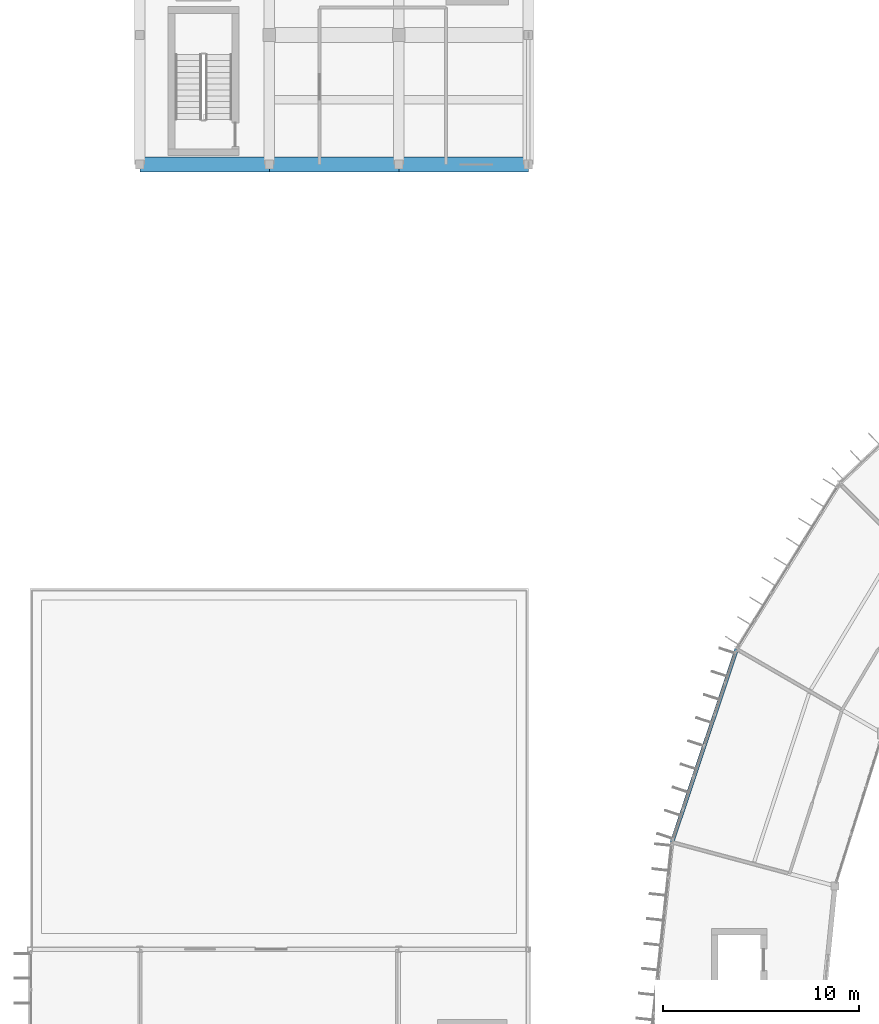
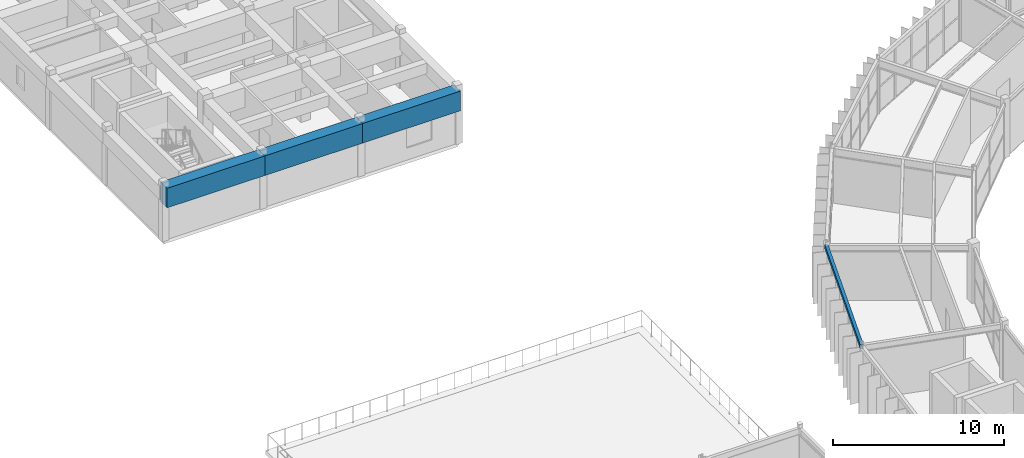
# One storey, part 62 of 130: 4 beams.
"""IFC4 building model written with IfcOpenShell, lengths in metres."""

from ifc_helpers import new_model, si_unit, direction, frame, origin, origin_2d, place, context, subcontext, project, spatial, rectangle, hollow_rectangle, extrude, material, material_profile, profile_set, type_object, element, save


model = new_model("IFC4")

# Units and contexts
model_context = context("Model", 3, precision=1e-05, world=origin(), true_north=direction((0.0, 1.0)))
body_context = subcontext(model_context, "Body", "Model", "MODEL_VIEW")
ifc_project = project(units=[si_unit("LENGTHUNIT", "METRE"), si_unit("AREAUNIT", "SQUARE_METRE"), si_unit("VOLUMEUNIT", "CUBIC_METRE"), si_unit("PLANEANGLEUNIT", "RADIAN"), si_unit("MASSUNIT", "GRAM", prefix="KILO")], contexts=[model_context])

# Site, building, storey
site_placement = place(None, origin())
site = spatial("IfcSite", under=ifc_project, at=site_placement, CompositionType="ELEMENT")
building_placement = place(site_placement, origin())
building = spatial("IfcBuilding", under=site, at=building_placement, Name="Karori Crest Natural Sciences Institute", CompositionType="ELEMENT")
storey_placement = place(building_placement, frame((0.0, 0.0, 17.5)))
storey = spatial("IfcBuildingStorey", under=building, at=storey_placement, Name="L04", CompositionType="ELEMENT", Elevation=17.5)

# Beams
ifc_material_1 = material(Name="Hollow structural steel AS/NZS 1163 Grade C350", Category="steel")
ifc_material_profile_1 = material_profile(ifc_material_1, hollow_rectangle(XDim=0.199951171875, YDim=0.300048828125, WallThickness=0.010009765625, at=origin_2d()), Name="RHS300x200x10")
ifc_profile_set_1 = profile_set([ifc_material_profile_1], Name="Hollow structural steel AS/NZS 1163 Grade C350")
beam_type_1 = type_object("IfcBeamType", Name="BT-15", PredefinedType="SPANDREL", material=ifc_profile_set_1)
beam_1_placement = place(storey_placement, frame((37.8212890625, 70.300048828125, 3.7900390625), z_axis=(-0.317681238028, -0.948197569605, 0.0), x_axis=(0.948197569605, -0.317681238028, 0.0)))
element("IfcBeam", 1, at=beam_1_placement, inside=storey, type_object=beam_type_1, Name="Beam B-0489", PredefinedType="SPANDREL", context=body_context, shape_type="SweptSolid", body=[
    extrude(hollow_rectangle(XDim=0.199951171875, YDim=0.300048828125, WallThickness=0.010009765625, at=origin_2d()), origin(), (0.0, 0.0, 1.0), 10.3779296875),
])
ifc_material_2 = material(Name="Concrete 50 MPa", Category="concrete")
ifc_material_profile_2 = material_profile(ifc_material_2, rectangle(XDim=0.75, YDim=1.39990234375, at=origin_2d()), Name="RCB750x1400")
ifc_profile_set_2 = profile_set([ifc_material_profile_2], Name="Concrete 50 MPa")
beam_type_2 = type_object("IfcBeamType", Name="BT-17", PredefinedType="BEAM", material=ifc_profile_set_2)
for number, where, z_axis, x_axis, name in (
    (2, (7.39990234375, 95.0, 3.14990234375), (1.0, 0.0, 0.0), (0.0, 1.0, 0.0), "Beam B-1745"),
    (3, (14.0, 95.0, 3.14990234375), (1.0, 0.0, 0.0), (0.0, 1.0, 0.0), "Beam B-1746"),
):
    element("IfcBeam", number, at=place(storey_placement, frame(where, z_axis=z_axis, x_axis=x_axis)), inside=storey, type_object=beam_type_2, Name=name, PredefinedType="BEAM", context=body_context, shape_type="SweptSolid", body=[
        extrude(rectangle(XDim=0.75, YDim=1.39990234375, at=origin_2d()), origin(), (0.0, 0.0, 1.0), 6.60009765625),
    ])
beam_2_placement = place(storey_placement, frame((20.60009765625, 95.0, 3.14990234375), z_axis=(1.0, 0.0, 0.0), x_axis=(0.0, 1.0, 0.0)))
element("IfcBeam", 4, at=beam_2_placement, inside=storey, type_object=beam_type_2, Name="Beam B-1747", PredefinedType="BEAM", context=body_context, shape_type="SweptSolid", body=[
    extrude(rectangle(XDim=0.75, YDim=1.39990234375, at=origin_2d()), origin(), (0.0, 0.0, 1.0), 6.599853515625),
])

save(model, "model.ifc")
